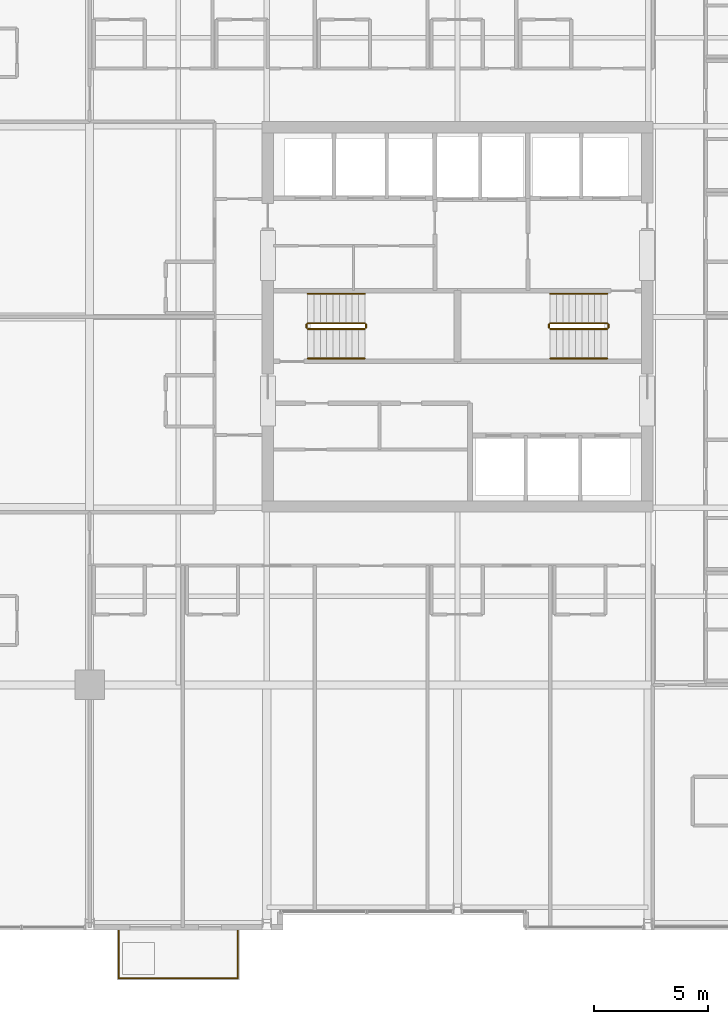
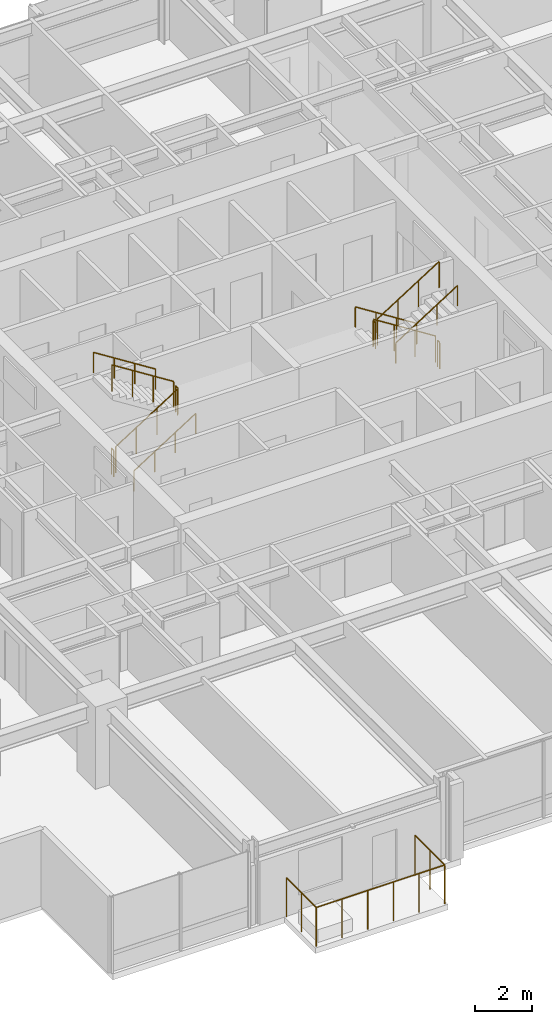
# One storey, part 31 of 32: 13 railings.
"""IFC4 building model written with IfcOpenShell, lengths in metres."""

from ifc_helpers import new_model, si_unit, direction, frame, origin, origin_2d, place, context, subcontext, project, spatial, circle, extrude, material, type_object, element, save


model = new_model("IFC4")

# Units and contexts
model_context = context("Model", 3, precision=1e-05, world=origin(), true_north=direction((0.0, 1.0)))
body_context = subcontext(model_context, "Body", "Model", "MODEL_VIEW")
ifc_project = project(units=[si_unit("LENGTHUNIT", "METRE"), si_unit("AREAUNIT", "SQUARE_METRE"), si_unit("VOLUMEUNIT", "CUBIC_METRE"), si_unit("PLANEANGLEUNIT", "RADIAN"), si_unit("MASSUNIT", "GRAM", prefix="KILO")], contexts=[model_context])

# Site, building, storey
site_placement = place(None, origin())
site = spatial("IfcSite", under=ifc_project, at=site_placement, CompositionType="ELEMENT")
building_placement = place(site_placement, origin())
building = spatial("IfcBuilding", under=site, at=building_placement, Name="Drelvath Grand Hotel", CompositionType="ELEMENT")
storey_placement = place(building_placement, frame((0.0, 0.0, 157.5)))
storey = spatial("IfcBuildingStorey", under=building, at=storey_placement, Name="L40", CompositionType="ELEMENT", Elevation=157.5)

# Railings
ifc_material_1 = material(Name="Painted Steel S275", Category="steel")
railing_type_1 = type_object("IfcRailingType", Name="Core Stair Wall Handrail 900", PredefinedType="HANDRAIL", material=ifc_material_1)
railing_1_placement = place(storey_placement, frame((-6.60009765625, 25.169921875, 0.177490234375)))
element("IfcRailing", 1, at=railing_1_placement, inside=storey, type_object=railing_type_1, Name="L40 ST-1 stair handrail 1", PredefinedType="HANDRAIL", context=body_context, shape_type="SweptSolid", body=[
    extrude(circle(Radius=0.02392578125, at=origin_2d()), frame((0.0, 0.0, 0.8759765625), z_axis=(0.84460694969, 0.0, 0.535386869969), x_axis=(0.0, 1.0, 0.0)), (0.0, 0.0, 1.0), 2.983642578125),
    extrude(circle(Radius=0.02099609375, at=origin_2d()), origin(), (0.0, 0.0, 1.0), 0.851806640625),
    extrude(circle(Radius=0.02099609375, at=origin_2d()), frame((0.840087890625, 0.0, 0.532470703125)), (0.0, 0.0, 1.0), 0.851806640625),
    extrude(circle(Radius=0.02099609375, at=origin_2d()), frame((1.679931640625, 0.0, 1.06494140625)), (0.0, 0.0, 1.0), 0.851806640625),
    extrude(circle(Radius=0.02099609375, at=origin_2d()), frame((2.52001953125, 0.0, 1.597412109375)), (0.0, 0.0, 1.0), 0.851806640625),
])
railing_2_placement = place(storey_placement, frame((-4.080078125, 28.030029296875, 1.952392578125)))
element("IfcRailing", 2, at=railing_2_placement, inside=storey, type_object=railing_type_1, Name="L40 ST-1 stair handrail 2", PredefinedType="HANDRAIL", context=body_context, shape_type="SweptSolid", body=[
    extrude(circle(Radius=0.02392578125, at=origin_2d()), frame((0.0, 0.0, 0.8759765625), z_axis=(-0.84456994832, 0.0, 0.535445237532), x_axis=(0.0, -1.0, 0.0)), (0.0, 0.0, 1.0), 2.98388671875),
    extrude(circle(Radius=0.02099609375, at=origin_2d()), origin(), (0.0, 0.0, 1.0), 0.851806640625),
    extrude(circle(Radius=0.02099609375, at=origin_2d()), frame((-0.840087890625, 0.0, 0.532470703125)), (0.0, 0.0, 1.0), 0.851806640625),
    extrude(circle(Radius=0.02099609375, at=origin_2d()), frame((-1.679931640625, 0.0, 1.065185546875)), (0.0, 0.0, 1.0), 0.851806640625),
    extrude(circle(Radius=0.02099609375, at=origin_2d()), frame((-2.52001953125, 0.0, 1.59765625)), (0.0, 0.0, 1.0), 0.851806640625),
])
railing_3_placement = place(storey_placement, frame((6.60009765625, 28.030029296875, 0.177490234375)))
element("IfcRailing", 3, at=railing_3_placement, inside=storey, type_object=railing_type_1, Name="L40 ST-2 stair handrail 1", PredefinedType="HANDRAIL", context=body_context, shape_type="SweptSolid", body=[
    extrude(circle(Radius=0.02392578125, at=origin_2d()), frame((0.0, 0.0, 0.8759765625), z_axis=(-0.84460694969, 0.0, 0.535386869969), x_axis=(0.0, -1.0, 0.0)), (0.0, 0.0, 1.0), 2.983642578125),
    extrude(circle(Radius=0.02099609375, at=origin_2d()), origin(), (0.0, 0.0, 1.0), 0.851806640625),
    extrude(circle(Radius=0.02099609375, at=origin_2d()), frame((-0.840087890625, 0.0, 0.532470703125)), (0.0, 0.0, 1.0), 0.851806640625),
    extrude(circle(Radius=0.02099609375, at=origin_2d()), frame((-1.679931640625, 0.0, 1.06494140625)), (0.0, 0.0, 1.0), 0.851806640625),
    extrude(circle(Radius=0.02099609375, at=origin_2d()), frame((-2.52001953125, 0.0, 1.597412109375)), (0.0, 0.0, 1.0), 0.851806640625),
])
railing_4_placement = place(storey_placement, frame((4.080078125, 25.169921875, 1.952392578125)))
element("IfcRailing", 4, at=railing_4_placement, inside=storey, type_object=railing_type_1, Name="L40 ST-2 stair handrail 2", PredefinedType="HANDRAIL", context=body_context, shape_type="SweptSolid", body=[
    extrude(circle(Radius=0.02392578125, at=origin_2d()), frame((0.0, 0.0, 0.8759765625), z_axis=(0.84456994832, 0.0, 0.535445237532), x_axis=(0.0, 1.0, 0.0)), (0.0, 0.0, 1.0), 2.98388671875),
    extrude(circle(Radius=0.02099609375, at=origin_2d()), origin(), (0.0, 0.0, 1.0), 0.851806640625),
    extrude(circle(Radius=0.02099609375, at=origin_2d()), frame((0.840087890625, 0.0, 0.532470703125)), (0.0, 0.0, 1.0), 0.851806640625),
    extrude(circle(Radius=0.02099609375, at=origin_2d()), frame((1.679931640625, 0.0, 1.065185546875)), (0.0, 0.0, 1.0), 0.851806640625),
    extrude(circle(Radius=0.02099609375, at=origin_2d()), frame((2.52001953125, 0.0, 1.59765625)), (0.0, 0.0, 1.0), 0.851806640625),
])
railing_type_2 = type_object("IfcRailingType", Name="Core Stair Well Guardrail 1100", PredefinedType="GUARDRAIL", material=ifc_material_1)
railing_5_placement = place(storey_placement, frame((-6.60009765625, 26.469970703125, 0.177490234375)))
element("IfcRailing", 5, at=railing_5_placement, inside=storey, type_object=railing_type_2, Name="L40 ST-1 stair guard 1", PredefinedType="GUARDRAIL", context=body_context, shape_type="SweptSolid", body=[
    extrude(circle(Radius=0.02392578125, at=origin_2d()), frame((0.0, 0.0, 1.1259765625), z_axis=(0.84460694969, 0.0, 0.535386869969), x_axis=(0.0, 1.0, 0.0)), (0.0, 0.0, 1.0), 2.983642578125),
    extrude(circle(Radius=0.02099609375, at=origin_2d()), origin(), (0.0, 0.0, 1.0), 1.101806640625),
    extrude(circle(Radius=0.02099609375, at=origin_2d()), frame((0.840087890625, 0.0, 0.532470703125)), (0.0, 0.0, 1.0), 1.101806640625),
    extrude(circle(Radius=0.02099609375, at=origin_2d()), frame((1.679931640625, 0.0, 1.06494140625)), (0.0, 0.0, 1.0), 1.101806640625),
    extrude(circle(Radius=0.02099609375, at=origin_2d()), frame((2.52001953125, 0.0, 1.597412109375)), (0.0, 0.0, 1.0), 1.101806640625),
])
railing_6_placement = place(storey_placement, frame((-4.030029296875, 26.52001953125, 1.77490234375)))
element("IfcRailing", 6, at=railing_6_placement, inside=storey, type_object=railing_type_2, Name="L40 ST-1 stair guard 2", PredefinedType="GUARDRAIL", context=body_context, shape_type="SweptSolid", body=[
    extrude(circle(Radius=0.02392578125, at=origin_2d()), frame((0.0, 0.0, 1.1259765625), z_axis=(0.0, 1.0, 0.0), x_axis=(-1.0, 0.0, 0.0)), (0.0, 0.0, 1.0), 0.159912109375),
    extrude(circle(Radius=0.02099609375, at=origin_2d()), origin(), (0.0, 0.0, 1.0), 1.101806640625),
    extrude(circle(Radius=0.02099609375, at=origin_2d()), frame((0.0, 0.159912109375, 0.0)), (0.0, 0.0, 1.0), 1.101806640625),
])
railing_7_placement = place(storey_placement, frame((-4.080078125, 26.72998046875, 1.952392578125)))
element("IfcRailing", 7, at=railing_7_placement, inside=storey, type_object=railing_type_2, Name="L40 ST-1 stair guard 3", PredefinedType="GUARDRAIL", context=body_context, shape_type="SweptSolid", body=[
    extrude(circle(Radius=0.02392578125, at=origin_2d()), frame((0.0, 0.0, 1.1259765625), z_axis=(-0.84456994832, 0.0, 0.535445237532), x_axis=(0.0, -1.0, 0.0)), (0.0, 0.0, 1.0), 2.98388671875),
    extrude(circle(Radius=0.02099609375, at=origin_2d()), origin(), (0.0, 0.0, 1.0), 1.101806640625),
    extrude(circle(Radius=0.02099609375, at=origin_2d()), frame((-0.840087890625, 0.0, 0.532470703125)), (0.0, 0.0, 1.0), 1.101806640625),
    extrude(circle(Radius=0.02099609375, at=origin_2d()), frame((-1.679931640625, 0.0, 1.065185546875)), (0.0, 0.0, 1.0), 1.101806640625),
    extrude(circle(Radius=0.02099609375, at=origin_2d()), frame((-2.52001953125, 0.0, 1.59765625)), (0.0, 0.0, 1.0), 1.101806640625),
])
railing_8_placement = place(storey_placement, frame((-6.64990234375, 26.52001953125, 0.0)))
element("IfcRailing", 8, at=railing_8_placement, inside=storey, type_object=railing_type_2, Name="L40 ST-1 stair guard 4", PredefinedType="GUARDRAIL", context=body_context, shape_type="SweptSolid", body=[
    extrude(circle(Radius=0.02392578125, at=origin_2d()), frame((0.0, 0.0, 1.1259765625), z_axis=(0.0, 1.0, 0.0), x_axis=(-1.0, 0.0, 0.0)), (0.0, 0.0, 1.0), 0.159912109375),
    extrude(circle(Radius=0.02099609375, at=origin_2d()), origin(), (0.0, 0.0, 1.0), 1.101806640625),
    extrude(circle(Radius=0.02099609375, at=origin_2d()), frame((0.0, 0.159912109375, 0.0)), (0.0, 0.0, 1.0), 1.101806640625),
])
railing_9_placement = place(storey_placement, frame((6.60009765625, 26.72998046875, 0.177490234375)))
element("IfcRailing", 9, at=railing_9_placement, inside=storey, type_object=railing_type_2, Name="L40 ST-2 stair guard 1", PredefinedType="GUARDRAIL", context=body_context, shape_type="SweptSolid", body=[
    extrude(circle(Radius=0.02392578125, at=origin_2d()), frame((0.0, 0.0, 1.1259765625), z_axis=(-0.84460694969, 0.0, 0.535386869969), x_axis=(0.0, -1.0, 0.0)), (0.0, 0.0, 1.0), 2.983642578125),
    extrude(circle(Radius=0.02099609375, at=origin_2d()), origin(), (0.0, 0.0, 1.0), 1.101806640625),
    extrude(circle(Radius=0.02099609375, at=origin_2d()), frame((-0.840087890625, 0.0, 0.532470703125)), (0.0, 0.0, 1.0), 1.101806640625),
    extrude(circle(Radius=0.02099609375, at=origin_2d()), frame((-1.679931640625, 0.0, 1.06494140625)), (0.0, 0.0, 1.0), 1.101806640625),
    extrude(circle(Radius=0.02099609375, at=origin_2d()), frame((-2.52001953125, 0.0, 1.597412109375)), (0.0, 0.0, 1.0), 1.101806640625),
])
railing_10_placement = place(storey_placement, frame((4.030029296875, 26.679931640625, 1.77490234375)))
element("IfcRailing", 10, at=railing_10_placement, inside=storey, type_object=railing_type_2, Name="L40 ST-2 stair guard 2", PredefinedType="GUARDRAIL", context=body_context, shape_type="SweptSolid", body=[
    extrude(circle(Radius=0.02392578125, at=origin_2d()), frame((0.0, 0.0, 1.1259765625), z_axis=(0.0, -1.0, 0.0), x_axis=(1.0, 0.0, 0.0)), (0.0, 0.0, 1.0), 0.159912109375),
    extrude(circle(Radius=0.02099609375, at=origin_2d()), origin(), (0.0, 0.0, 1.0), 1.101806640625),
    extrude(circle(Radius=0.02099609375, at=origin_2d()), frame((0.0, -0.159912109375, 0.0)), (0.0, 0.0, 1.0), 1.101806640625),
])
railing_11_placement = place(storey_placement, frame((4.080078125, 26.469970703125, 1.952392578125)))
element("IfcRailing", 11, at=railing_11_placement, inside=storey, type_object=railing_type_2, Name="L40 ST-2 stair guard 3", PredefinedType="GUARDRAIL", context=body_context, shape_type="SweptSolid", body=[
    extrude(circle(Radius=0.02392578125, at=origin_2d()), frame((0.0, 0.0, 1.1259765625), z_axis=(0.84456994832, 0.0, 0.535445237532), x_axis=(0.0, 1.0, 0.0)), (0.0, 0.0, 1.0), 2.98388671875),
    extrude(circle(Radius=0.02099609375, at=origin_2d()), origin(), (0.0, 0.0, 1.0), 1.101806640625),
    extrude(circle(Radius=0.02099609375, at=origin_2d()), frame((0.840087890625, 0.0, 0.532470703125)), (0.0, 0.0, 1.0), 1.101806640625),
    extrude(circle(Radius=0.02099609375, at=origin_2d()), frame((1.679931640625, 0.0, 1.065185546875)), (0.0, 0.0, 1.0), 1.101806640625),
    extrude(circle(Radius=0.02099609375, at=origin_2d()), frame((2.52001953125, 0.0, 1.59765625)), (0.0, 0.0, 1.0), 1.101806640625),
])
railing_12_placement = place(storey_placement, frame((6.64990234375, 26.679931640625, 0.0)))
element("IfcRailing", 12, at=railing_12_placement, inside=storey, type_object=railing_type_2, Name="L40 ST-2 stair guard 4", PredefinedType="GUARDRAIL", context=body_context, shape_type="SweptSolid", body=[
    extrude(circle(Radius=0.02392578125, at=origin_2d()), frame((0.0, 0.0, 1.1259765625), z_axis=(0.0, -1.0, 0.0), x_axis=(1.0, 0.0, 0.0)), (0.0, 0.0, 1.0), 0.159912109375),
    extrude(circle(Radius=0.02099609375, at=origin_2d()), origin(), (0.0, 0.0, 1.0), 1.101806640625),
    extrude(circle(Radius=0.02099609375, at=origin_2d()), frame((0.0, -0.159912109375, 0.0)), (0.0, 0.0, 1.0), 1.101806640625),
])
ifc_material_2 = material(Name="Anodised Aluminium and Laminated Glass Balustrade", Category="aluminium")
railing_type_3 = type_object("IfcRailingType", Name="Raised Planter Edge Balustrade 1700", PredefinedType="BALUSTRADE", material=ifc_material_2)
railing_13_placement = place(storey_placement, frame((-14.919921875, -0.02001953125, 0.0)))
element("IfcRailing", 13, at=railing_13_placement, inside=storey, type_object=railing_type_3, Name="L40 Tree Balcony Perimeter Balustrade 1", PredefinedType="BALUSTRADE", context=body_context, shape_type="SweptSolid", body=[
    extrude(circle(Radius=0.02392578125, at=origin_2d()), frame((0.0, 0.0, 1.67578125), z_axis=(0.0, -1.0, 0.0), x_axis=(1.0, 0.0, 0.0)), (0.0, 0.0, 1.0), 2.10009765625),
    extrude(circle(Radius=0.02392578125, at=origin_2d()), frame((0.0, -2.10009765625, 1.67578125), z_axis=(1.0, 0.0, 0.0), x_axis=(0.0, 1.0, 0.0)), (0.0, 0.0, 1.0), 5.239990234375),
    extrude(circle(Radius=0.02392578125, at=origin_2d()), frame((5.239990234375, -2.10009765625, 1.67578125), z_axis=(0.0, 1.0, 0.0), x_axis=(-1.0, 0.0, 0.0)), (0.0, 0.0, 1.0), 2.10009765625),
    extrude(circle(Radius=0.02099609375, at=origin_2d()), origin(), (0.0, 0.0, 1.0), 1.65185546875),
    extrude(circle(Radius=0.02099609375, at=origin_2d()), frame((0.0, -1.050048828125, 0.0)), (0.0, 0.0, 1.0), 1.65185546875),
    extrude(circle(Radius=0.02099609375, at=origin_2d()), frame((0.0, -2.10009765625, 0.0)), (0.0, 0.0, 1.0), 1.65185546875),
    extrude(circle(Radius=0.02099609375, at=origin_2d()), frame((1.048095703125, -2.10009765625, 0.0)), (0.0, 0.0, 1.0), 1.65185546875),
    extrude(circle(Radius=0.02099609375, at=origin_2d()), frame((2.095947265625, -2.10009765625, 0.0)), (0.0, 0.0, 1.0), 1.65185546875),
    extrude(circle(Radius=0.02099609375, at=origin_2d()), frame((3.14404296875, -2.10009765625, 0.0)), (0.0, 0.0, 1.0), 1.65185546875),
    extrude(circle(Radius=0.02099609375, at=origin_2d()), frame((4.19189453125, -2.10009765625, 0.0)), (0.0, 0.0, 1.0), 1.65185546875),
    extrude(circle(Radius=0.02099609375, at=origin_2d()), frame((5.239990234375, -2.10009765625, 0.0)), (0.0, 0.0, 1.0), 1.65185546875),
    extrude(circle(Radius=0.02099609375, at=origin_2d()), frame((5.239990234375, -1.050048828125, 0.0)), (0.0, 0.0, 1.0), 1.65185546875),
    extrude(circle(Radius=0.02099609375, at=origin_2d()), frame((5.239990234375, 0.0, 0.0)), (0.0, 0.0, 1.0), 1.65185546875),
])

save(model, "model.ifc")
